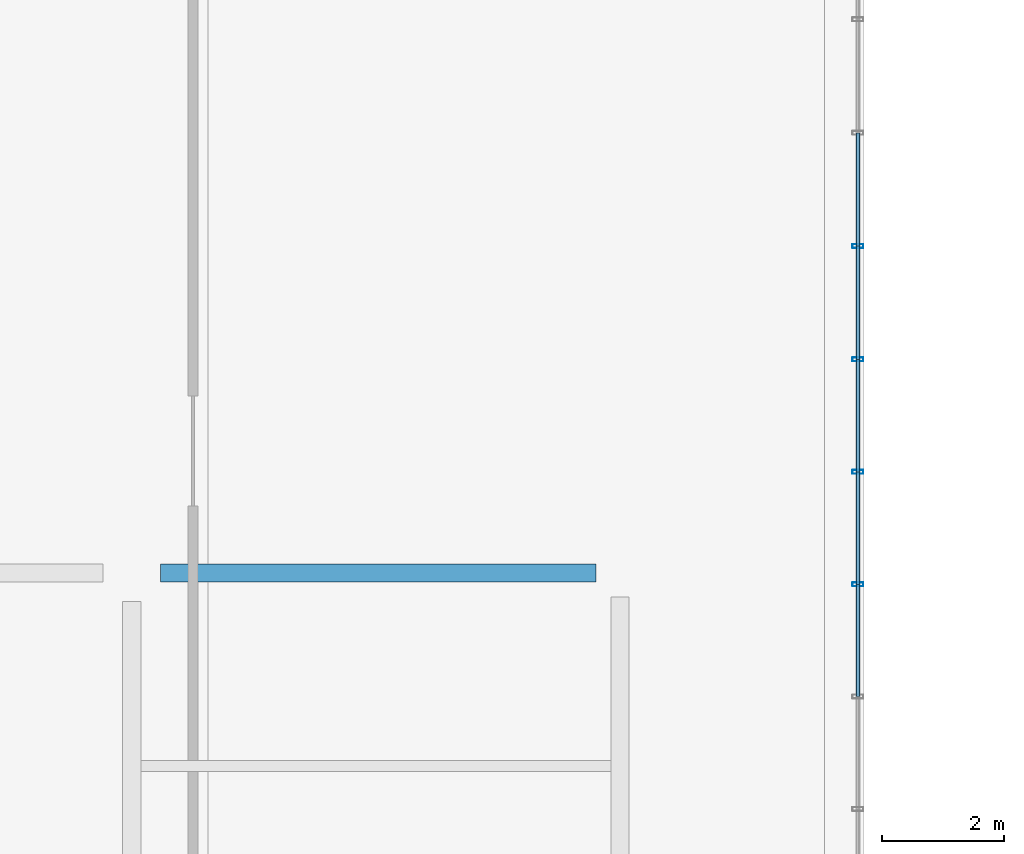
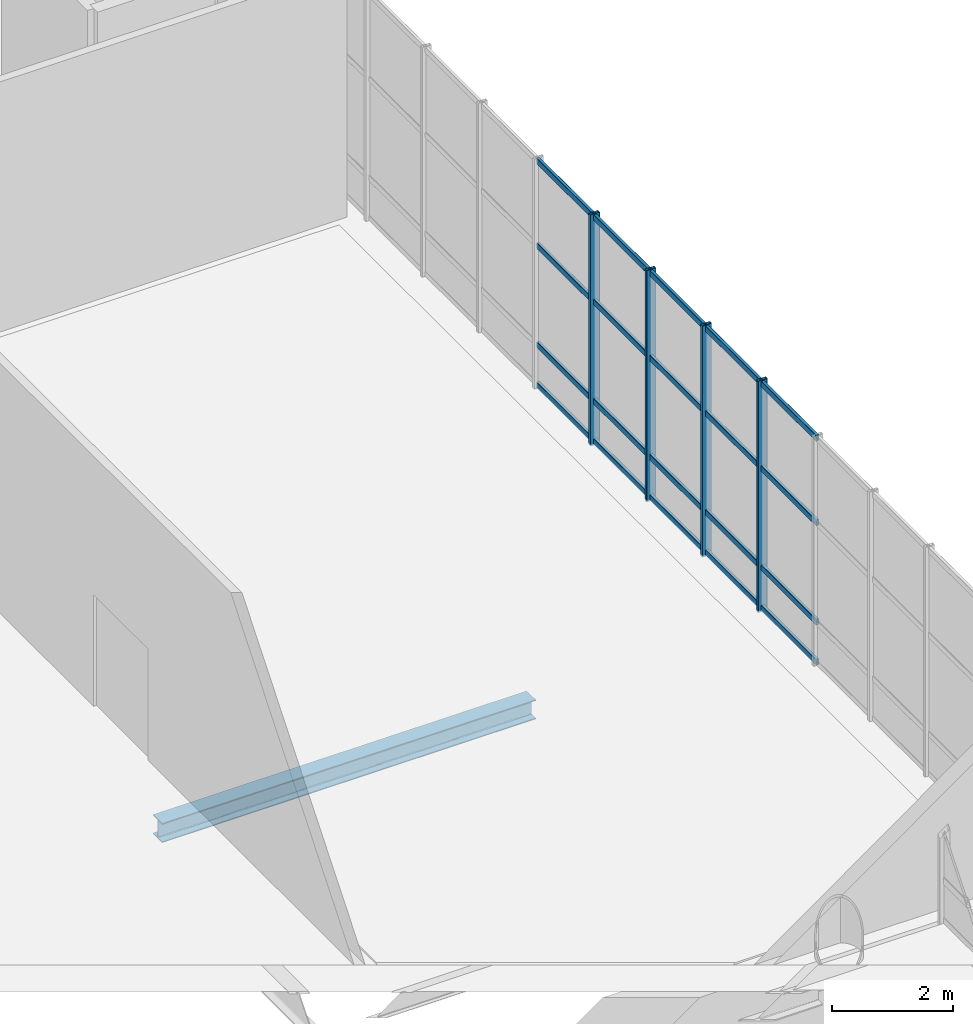
# One storey, part 93 of 176: 24 members, 1 beam, 2 elements without a shape of their own.
"""IFC4 building model written with IfcOpenShell, lengths in metres."""

from ifc_helpers import new_model, si_unit, direction, frame, origin, origin_2d, place, context, subcontext, project, spatial, hollow_rectangle, i_section, extrude, material, layer, layer_set, material_profile, profile_set, type_object, element, aggregate, save


model = new_model("IFC4")

# Units and contexts
model_context = context("Model", 3, precision=1e-05, world=origin(), true_north=direction((0.0, 1.0)))
body_context = subcontext(model_context, "Body", "Model", "MODEL_VIEW")
ifc_project = project(units=[si_unit("LENGTHUNIT", "METRE"), si_unit("AREAUNIT", "SQUARE_METRE"), si_unit("VOLUMEUNIT", "CUBIC_METRE"), si_unit("PLANEANGLEUNIT", "RADIAN"), si_unit("MASSUNIT", "GRAM", prefix="KILO")], contexts=[model_context])

# Site, building, storey
site_placement = place(None, origin())
site = spatial("IfcSite", under=ifc_project, at=site_placement, CompositionType="ELEMENT")
building_placement = place(site_placement, origin())
building = spatial("IfcBuilding", under=site, at=building_placement, Name="Khorjan Park Terminus", CompositionType="ELEMENT")
storey_placement = place(building_placement, frame((0.0, 0.0, 6.0)))
storey = spatial("IfcBuildingStorey", under=building, at=storey_placement, Name="L01", CompositionType="ELEMENT", Elevation=6.0)

# Beam
ifc_material_1 = material(Name="Steel S355", Category="steel")
ifc_material_profile_1 = material_profile(ifc_material_1, i_section(OverallWidth=0.3, OverallDepth=0.39, WebThickness=0.011, FlangeThickness=0.019, FilletRadius=0.027, at=origin_2d()), Name="HEA 400")
ifc_profile_set_1 = profile_set([ifc_material_profile_1], Name="Steel S355")
beam_type = type_object("IfcBeamType", Name="BM-HEA400", PredefinedType="BEAM", material=ifc_profile_set_1)
beam_placement = place(storey_placement, frame((120.47, 111.5, -0.555), z_axis=(1.0, 0.0, 0.0), x_axis=(0.0, 1.0, 0.0)))
element("IfcBeam", 1, at=beam_placement, inside=storey, type_object=beam_type, Name="Primary floor girder SB-A40 (L01)", PredefinedType="BEAM", context=body_context, shape_type="SweptSolid", body=[
    extrude(i_section(OverallWidth=0.3, OverallDepth=0.39, WebThickness=0.011, FlangeThickness=0.019, FilletRadius=0.027, at=origin_2d()), origin(), (0.0, 0.0, 1.0), 7.135),
])

# Curtain wall, members
ifc_material_2 = material(Name="Anodized Bronze Aluminium", Category="aluminium")
ifc_layer = layer(ifc_material_2, 0.22)
ifc_layer_set = layer_set([ifc_layer], Name="Anodized Bronze Aluminium")
curtain_wall_type = type_object("IfcCurtainWallType", Name="CW-BRG-D", PredefinedType="NOTDEFINED", material=ifc_layer_set)
curtain_wall_1_placement = place(storey_placement, origin())
curtain_wall_1 = element("IfcCurtainWall", 2, at=curtain_wall_1_placement, inside=storey, type_object=curtain_wall_type, Name="Unitized curtain wall CW-D (CW-BRE-E-1)", PredefinedType="NOTDEFINED")
ifc_material_profile_2 = material_profile(ifc_material_2, hollow_rectangle(XDim=0.065, YDim=0.18, WallThickness=0.004, InnerFilletRadius=0.004, OuterFilletRadius=0.008, at=origin_2d()), Name="ALM 65x180x4")
ifc_profile_set_2 = profile_set([ifc_material_profile_2], Name="Anodized Bronze Aluminium")
member_type_1 = type_object("IfcMemberType", Name="ML-ALM-180", PredefinedType="MULLION", material=ifc_profile_set_2)
member_1_placement = place(storey_placement, frame((131.9, 111.3143, -0.035), z_axis=(0.0, 0.0, 1.0), x_axis=(0.0, 1.0, 0.0)))
member_1 = element("IfcMember", 3, at=member_1_placement, type_object=member_type_1, Name="Curtain-wall mullion ML-18 (CW-BRE-E-1-5)", PredefinedType="MULLION", context=body_context, shape_type="SweptSolid", body=[
    extrude(hollow_rectangle(XDim=0.065, YDim=0.18, WallThickness=0.004, InnerFilletRadius=0.004, OuterFilletRadius=0.008, at=origin_2d()), origin(), (0.0, 0.0, 1.0), 4.67),
])
member_2_placement = place(storey_placement, frame((131.9, 113.1571, -0.035), z_axis=(0.0, 0.0, 1.0), x_axis=(0.0, 1.0, 0.0)))
member_2 = element("IfcMember", 4, at=member_2_placement, type_object=member_type_1, Name="Curtain-wall mullion ML-18 (CW-BRE-E-1-6)", PredefinedType="MULLION", context=body_context, shape_type="SweptSolid", body=[
    extrude(hollow_rectangle(XDim=0.065, YDim=0.18, WallThickness=0.004, InnerFilletRadius=0.004, OuterFilletRadius=0.008, at=origin_2d()), origin(), (0.0, 0.0, 1.0), 4.67),
])
member_3_placement = place(storey_placement, frame((131.9, 115.0, -0.035), z_axis=(0.0, 0.0, 1.0), x_axis=(0.0, 1.0, 0.0)))
member_3 = element("IfcMember", 5, at=member_3_placement, type_object=member_type_1, Name="Curtain-wall mullion ML-18 (CW-BRE-E-1-7)", PredefinedType="MULLION", context=body_context, shape_type="SweptSolid", body=[
    extrude(hollow_rectangle(XDim=0.065, YDim=0.18, WallThickness=0.004, InnerFilletRadius=0.004, OuterFilletRadius=0.008, at=origin_2d()), origin(), (0.0, 0.0, 1.0), 4.67),
])

# Curtain wall, member
curtain_wall_2_placement = place(storey_placement, origin())
curtain_wall_2 = element("IfcCurtainWall", 6, at=curtain_wall_2_placement, inside=storey, type_object=curtain_wall_type, Name="Unitized curtain wall CW-D (CW-BRE-E-2)", PredefinedType="NOTDEFINED")
member_4_placement = place(storey_placement, frame((131.9, 116.8571, -0.035), z_axis=(0.0, 0.0, 1.0), x_axis=(0.0, 1.0, 0.0)))
member_4 = element("IfcMember", 7, at=member_4_placement, type_object=member_type_1, Name="Curtain-wall mullion ML-18 (CW-BRE-E-2-1)", PredefinedType="MULLION", context=body_context, shape_type="SweptSolid", body=[
    extrude(hollow_rectangle(XDim=0.065, YDim=0.18, WallThickness=0.004, InnerFilletRadius=0.004, OuterFilletRadius=0.008, at=origin_2d()), origin(), (0.0, 0.0, 1.0), 4.67),
])

# Member
ifc_material_profile_3 = material_profile(ifc_material_2, hollow_rectangle(XDim=0.06, YDim=0.12, WallThickness=0.004, InnerFilletRadius=0.004, OuterFilletRadius=0.008, at=origin_2d()), Name="ALT 60x120x4")
ifc_profile_set_3 = profile_set([ifc_material_profile_3], Name="Anodized Bronze Aluminium")
member_type_2 = type_object("IfcMemberType", Name="TR-ALT-120", PredefinedType="USERDEFINED", material=ifc_profile_set_3)
member_5_placement = place(storey_placement, frame((131.9, 109.4714, 0.04), z_axis=(0.0, 1.0, 0.0), x_axis=(-1.0, 0.0, 0.0)))
member_5 = element("IfcMember", 8, at=member_5_placement, type_object=member_type_2, Name="Curtain-wall transom TR-12 (CW-BRE-E-1-4-1)", ObjectType="TRANSOM", PredefinedType="USERDEFINED", context=body_context, shape_type="SweptSolid", body=[
    extrude(hollow_rectangle(XDim=0.06, YDim=0.12, WallThickness=0.004, InnerFilletRadius=0.004, OuterFilletRadius=0.008, at=origin_2d()), origin(), (0.0, 0.0, 1.0), 1.8429),
])

member_6_placement = place(storey_placement, frame((131.9, 109.4714, 0.85), z_axis=(0.0, 1.0, 0.0), x_axis=(-1.0, 0.0, 0.0)))
member_6 = element("IfcMember", 9, at=member_6_placement, type_object=member_type_2, Name="Curtain-wall transom TR-12 (CW-BRE-E-1-4-2)", ObjectType="TRANSOM", PredefinedType="USERDEFINED", context=body_context, shape_type="SweptSolid", body=[
    extrude(hollow_rectangle(XDim=0.06, YDim=0.12, WallThickness=0.004, InnerFilletRadius=0.004, OuterFilletRadius=0.008, at=origin_2d()), origin(), (0.0, 0.0, 1.0), 1.8429),
])

member_7_placement = place(storey_placement, frame((131.9, 109.4714, 2.852), z_axis=(0.0, 1.0, 0.0), x_axis=(-1.0, 0.0, 0.0)))
member_7 = element("IfcMember", 10, at=member_7_placement, type_object=member_type_2, Name="Curtain-wall transom TR-12 (CW-BRE-E-1-4-3)", ObjectType="TRANSOM", PredefinedType="USERDEFINED", context=body_context, shape_type="SweptSolid", body=[
    extrude(hollow_rectangle(XDim=0.06, YDim=0.12, WallThickness=0.004, InnerFilletRadius=0.004, OuterFilletRadius=0.008, at=origin_2d()), origin(), (0.0, 0.0, 1.0), 1.8429),
])

member_8_placement = place(storey_placement, frame((131.9, 109.4714, 4.56), z_axis=(0.0, 1.0, 0.0), x_axis=(-1.0, 0.0, 0.0)))
member_8 = element("IfcMember", 11, at=member_8_placement, type_object=member_type_2, Name="Curtain-wall transom TR-12 (CW-BRE-E-1-4-4)", ObjectType="TRANSOM", PredefinedType="USERDEFINED", context=body_context, shape_type="SweptSolid", body=[
    extrude(hollow_rectangle(XDim=0.06, YDim=0.12, WallThickness=0.004, InnerFilletRadius=0.004, OuterFilletRadius=0.008, at=origin_2d()), origin(), (0.0, 0.0, 1.0), 1.8429),
])

member_9_placement = place(storey_placement, frame((131.9, 111.3143, 0.04), z_axis=(0.0, 1.0, 0.0), x_axis=(-1.0, 0.0, 0.0)))
member_9 = element("IfcMember", 12, at=member_9_placement, type_object=member_type_2, Name="Curtain-wall transom TR-12 (CW-BRE-E-1-5-1)", ObjectType="TRANSOM", PredefinedType="USERDEFINED", context=body_context, shape_type="SweptSolid", body=[
    extrude(hollow_rectangle(XDim=0.06, YDim=0.12, WallThickness=0.004, InnerFilletRadius=0.004, OuterFilletRadius=0.008, at=origin_2d()), origin(), (0.0, 0.0, 1.0), 1.8428),
])

member_10_placement = place(storey_placement, frame((131.9, 111.3143, 0.85), z_axis=(0.0, 1.0, 0.0), x_axis=(-1.0, 0.0, 0.0)))
member_10 = element("IfcMember", 13, at=member_10_placement, type_object=member_type_2, Name="Curtain-wall transom TR-12 (CW-BRE-E-1-5-2)", ObjectType="TRANSOM", PredefinedType="USERDEFINED", context=body_context, shape_type="SweptSolid", body=[
    extrude(hollow_rectangle(XDim=0.06, YDim=0.12, WallThickness=0.004, InnerFilletRadius=0.004, OuterFilletRadius=0.008, at=origin_2d()), origin(), (0.0, 0.0, 1.0), 1.8428),
])

member_11_placement = place(storey_placement, frame((131.9, 111.3143, 2.852), z_axis=(0.0, 1.0, 0.0), x_axis=(-1.0, 0.0, 0.0)))
member_11 = element("IfcMember", 14, at=member_11_placement, type_object=member_type_2, Name="Curtain-wall transom TR-12 (CW-BRE-E-1-5-3)", ObjectType="TRANSOM", PredefinedType="USERDEFINED", context=body_context, shape_type="SweptSolid", body=[
    extrude(hollow_rectangle(XDim=0.06, YDim=0.12, WallThickness=0.004, InnerFilletRadius=0.004, OuterFilletRadius=0.008, at=origin_2d()), origin(), (0.0, 0.0, 1.0), 1.8428),
])

member_12_placement = place(storey_placement, frame((131.9, 111.3143, 4.56), z_axis=(0.0, 1.0, 0.0), x_axis=(-1.0, 0.0, 0.0)))
member_12 = element("IfcMember", 15, at=member_12_placement, type_object=member_type_2, Name="Curtain-wall transom TR-12 (CW-BRE-E-1-5-4)", ObjectType="TRANSOM", PredefinedType="USERDEFINED", context=body_context, shape_type="SweptSolid", body=[
    extrude(hollow_rectangle(XDim=0.06, YDim=0.12, WallThickness=0.004, InnerFilletRadius=0.004, OuterFilletRadius=0.008, at=origin_2d()), origin(), (0.0, 0.0, 1.0), 1.8428),
])

member_13_placement = place(storey_placement, frame((131.9, 113.1571, 0.04), z_axis=(0.0, 1.0, 0.0), x_axis=(-1.0, 0.0, 0.0)))
member_13 = element("IfcMember", 16, at=member_13_placement, type_object=member_type_2, Name="Curtain-wall transom TR-12 (CW-BRE-E-1-6-1)", ObjectType="TRANSOM", PredefinedType="USERDEFINED", context=body_context, shape_type="SweptSolid", body=[
    extrude(hollow_rectangle(XDim=0.06, YDim=0.12, WallThickness=0.004, InnerFilletRadius=0.004, OuterFilletRadius=0.008, at=origin_2d()), origin(), (0.0, 0.0, 1.0), 1.8429),
])

member_14_placement = place(storey_placement, frame((131.9, 113.1571, 0.85), z_axis=(0.0, 1.0, 0.0), x_axis=(-1.0, 0.0, 0.0)))
member_14 = element("IfcMember", 17, at=member_14_placement, type_object=member_type_2, Name="Curtain-wall transom TR-12 (CW-BRE-E-1-6-2)", ObjectType="TRANSOM", PredefinedType="USERDEFINED", context=body_context, shape_type="SweptSolid", body=[
    extrude(hollow_rectangle(XDim=0.06, YDim=0.12, WallThickness=0.004, InnerFilletRadius=0.004, OuterFilletRadius=0.008, at=origin_2d()), origin(), (0.0, 0.0, 1.0), 1.8429),
])

member_15_placement = place(storey_placement, frame((131.9, 113.1571, 2.852), z_axis=(0.0, 1.0, 0.0), x_axis=(-1.0, 0.0, 0.0)))
member_15 = element("IfcMember", 18, at=member_15_placement, type_object=member_type_2, Name="Curtain-wall transom TR-12 (CW-BRE-E-1-6-3)", ObjectType="TRANSOM", PredefinedType="USERDEFINED", context=body_context, shape_type="SweptSolid", body=[
    extrude(hollow_rectangle(XDim=0.06, YDim=0.12, WallThickness=0.004, InnerFilletRadius=0.004, OuterFilletRadius=0.008, at=origin_2d()), origin(), (0.0, 0.0, 1.0), 1.8429),
])

member_16_placement = place(storey_placement, frame((131.9, 113.1571, 4.56), z_axis=(0.0, 1.0, 0.0), x_axis=(-1.0, 0.0, 0.0)))
member_16 = element("IfcMember", 19, at=member_16_placement, type_object=member_type_2, Name="Curtain-wall transom TR-12 (CW-BRE-E-1-6-4)", ObjectType="TRANSOM", PredefinedType="USERDEFINED", context=body_context, shape_type="SweptSolid", body=[
    extrude(hollow_rectangle(XDim=0.06, YDim=0.12, WallThickness=0.004, InnerFilletRadius=0.004, OuterFilletRadius=0.008, at=origin_2d()), origin(), (0.0, 0.0, 1.0), 1.8429),
])

aggregate(curtain_wall_1, [member_1, member_2, member_3, member_5, member_6, member_7, member_8, member_9, member_10, member_11, member_12, member_13, member_14, member_15, member_16])

member_17_placement = place(storey_placement, frame((131.9, 115.0, 0.04), z_axis=(0.0, 1.0, 0.0), x_axis=(-1.0, 0.0, 0.0)))
member_17 = element("IfcMember", 20, at=member_17_placement, type_object=member_type_2, Name="Curtain-wall transom TR-12 (CW-BRE-E-2-0-1)", ObjectType="TRANSOM", PredefinedType="USERDEFINED", context=body_context, shape_type="SweptSolid", body=[
    extrude(hollow_rectangle(XDim=0.06, YDim=0.12, WallThickness=0.004, InnerFilletRadius=0.004, OuterFilletRadius=0.008, at=origin_2d()), origin(), (0.0, 0.0, 1.0), 1.8571),
])

member_18_placement = place(storey_placement, frame((131.9, 115.0, 0.85), z_axis=(0.0, 1.0, 0.0), x_axis=(-1.0, 0.0, 0.0)))
member_18 = element("IfcMember", 21, at=member_18_placement, type_object=member_type_2, Name="Curtain-wall transom TR-12 (CW-BRE-E-2-0-2)", ObjectType="TRANSOM", PredefinedType="USERDEFINED", context=body_context, shape_type="SweptSolid", body=[
    extrude(hollow_rectangle(XDim=0.06, YDim=0.12, WallThickness=0.004, InnerFilletRadius=0.004, OuterFilletRadius=0.008, at=origin_2d()), origin(), (0.0, 0.0, 1.0), 1.8571),
])

member_19_placement = place(storey_placement, frame((131.9, 115.0, 2.852), z_axis=(0.0, 1.0, 0.0), x_axis=(-1.0, 0.0, 0.0)))
member_19 = element("IfcMember", 22, at=member_19_placement, type_object=member_type_2, Name="Curtain-wall transom TR-12 (CW-BRE-E-2-0-3)", ObjectType="TRANSOM", PredefinedType="USERDEFINED", context=body_context, shape_type="SweptSolid", body=[
    extrude(hollow_rectangle(XDim=0.06, YDim=0.12, WallThickness=0.004, InnerFilletRadius=0.004, OuterFilletRadius=0.008, at=origin_2d()), origin(), (0.0, 0.0, 1.0), 1.8571),
])

member_20_placement = place(storey_placement, frame((131.9, 115.0, 4.56), z_axis=(0.0, 1.0, 0.0), x_axis=(-1.0, 0.0, 0.0)))
member_20 = element("IfcMember", 23, at=member_20_placement, type_object=member_type_2, Name="Curtain-wall transom TR-12 (CW-BRE-E-2-0-4)", ObjectType="TRANSOM", PredefinedType="USERDEFINED", context=body_context, shape_type="SweptSolid", body=[
    extrude(hollow_rectangle(XDim=0.06, YDim=0.12, WallThickness=0.004, InnerFilletRadius=0.004, OuterFilletRadius=0.008, at=origin_2d()), origin(), (0.0, 0.0, 1.0), 1.8571),
])

member_21_placement = place(storey_placement, frame((131.9, 116.8571, 0.04), z_axis=(0.0, 1.0, 0.0), x_axis=(-1.0, 0.0, 0.0)))
member_21 = element("IfcMember", 24, at=member_21_placement, type_object=member_type_2, Name="Curtain-wall transom TR-12 (CW-BRE-E-2-1-1)", ObjectType="TRANSOM", PredefinedType="USERDEFINED", context=body_context, shape_type="SweptSolid", body=[
    extrude(hollow_rectangle(XDim=0.06, YDim=0.12, WallThickness=0.004, InnerFilletRadius=0.004, OuterFilletRadius=0.008, at=origin_2d()), origin(), (0.0, 0.0, 1.0), 1.8572),
])

member_22_placement = place(storey_placement, frame((131.9, 116.8571, 0.85), z_axis=(0.0, 1.0, 0.0), x_axis=(-1.0, 0.0, 0.0)))
member_22 = element("IfcMember", 25, at=member_22_placement, type_object=member_type_2, Name="Curtain-wall transom TR-12 (CW-BRE-E-2-1-2)", ObjectType="TRANSOM", PredefinedType="USERDEFINED", context=body_context, shape_type="SweptSolid", body=[
    extrude(hollow_rectangle(XDim=0.06, YDim=0.12, WallThickness=0.004, InnerFilletRadius=0.004, OuterFilletRadius=0.008, at=origin_2d()), origin(), (0.0, 0.0, 1.0), 1.8572),
])

member_23_placement = place(storey_placement, frame((131.9, 116.8571, 2.852), z_axis=(0.0, 1.0, 0.0), x_axis=(-1.0, 0.0, 0.0)))
member_23 = element("IfcMember", 26, at=member_23_placement, type_object=member_type_2, Name="Curtain-wall transom TR-12 (CW-BRE-E-2-1-3)", ObjectType="TRANSOM", PredefinedType="USERDEFINED", context=body_context, shape_type="SweptSolid", body=[
    extrude(hollow_rectangle(XDim=0.06, YDim=0.12, WallThickness=0.004, InnerFilletRadius=0.004, OuterFilletRadius=0.008, at=origin_2d()), origin(), (0.0, 0.0, 1.0), 1.8572),
])

member_24_placement = place(storey_placement, frame((131.9, 116.8571, 4.56), z_axis=(0.0, 1.0, 0.0), x_axis=(-1.0, 0.0, 0.0)))
member_24 = element("IfcMember", 27, at=member_24_placement, type_object=member_type_2, Name="Curtain-wall transom TR-12 (CW-BRE-E-2-1-4)", ObjectType="TRANSOM", PredefinedType="USERDEFINED", context=body_context, shape_type="SweptSolid", body=[
    extrude(hollow_rectangle(XDim=0.06, YDim=0.12, WallThickness=0.004, InnerFilletRadius=0.004, OuterFilletRadius=0.008, at=origin_2d()), origin(), (0.0, 0.0, 1.0), 1.8572),
])

aggregate(curtain_wall_2, [member_4, member_17, member_18, member_19, member_20, member_21, member_22, member_23, member_24])

save(model, "model.ifc")
